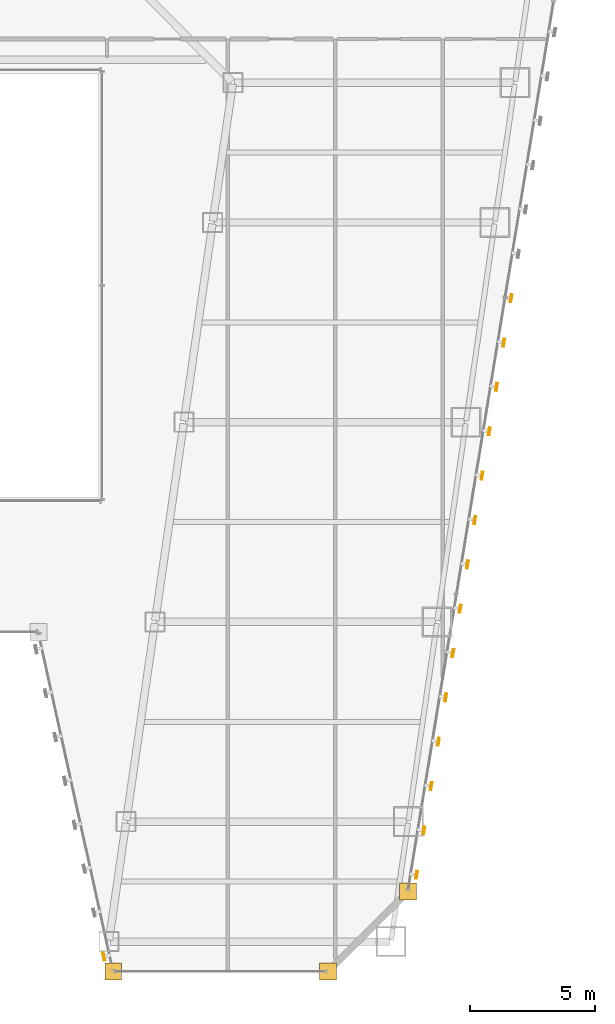
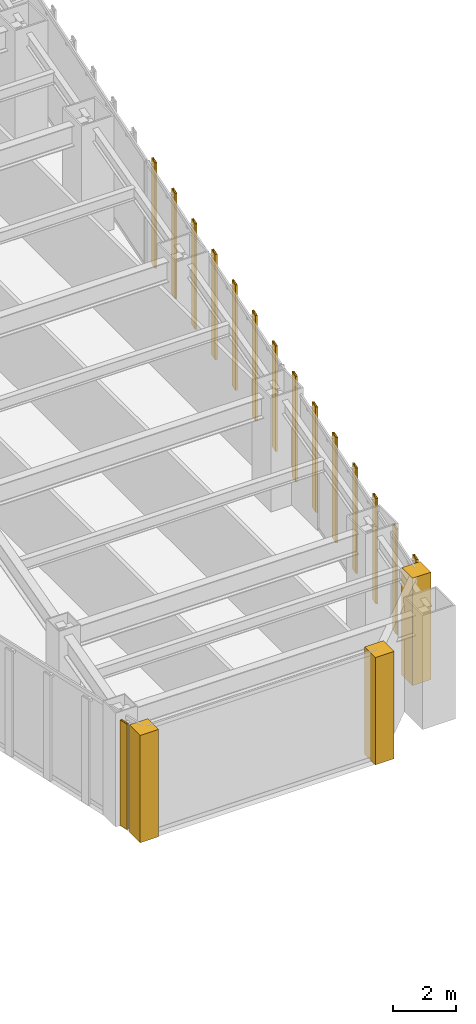
# One storey, part 44 of 47: 15 shading devices, 3 coverings.
"""IFC4 building model written with IfcOpenShell, lengths in metres."""

import ifcopenshell
import ifcopenshell.guid

model = None  # the IFC model being written
_history = None  # IfcOwnerHistory: only IFC2X3 demands one
_inside = {}  # id of a spatial element -> (the spatial element, [elements in it])
_under = {}  # id of a project, library or spatial element -> (it, [spatial elements below it])
_declared = {}  # id of a project -> (the project, [libraries it declares])
_typed = {}  # id of a type object -> (the type object, [elements of that type])
_made_of = {}  # id of a material, layer set ... -> (it, [elements and type objects made of it])


def new_model(schema):
    """Start an empty IFC model of exactly this schema.

    Asked for "IFC4X3", IfcOpenShell would pick the latest addendum, in which some entities
    have other attributes; the version numbers below select the first issue.
    IFC2X3 requires an IfcOwnerHistory on every rooted entity: one is made here for all.
    """
    global model, _history
    if schema == "IFC4X3":
        model = ifcopenshell.file(schema_version=(4, 3, 0, 0))
    else:
        model = ifcopenshell.file(schema=schema)
    _inside.clear()
    _under.clear()
    _declared.clear()
    _typed.clear()
    _made_of.clear()
    _history = None
    if model.schema == "IFC2X3":
        org = make("IfcOrganization", Name="unknown")
        user = make(
            "IfcPersonAndOrganization",
            ThePerson=make("IfcPerson", FamilyName="unknown"),
            TheOrganization=org,
        )
        app = make(
            "IfcApplication",
            ApplicationDeveloper=org,
            Version="unknown",
            ApplicationFullName="unknown",
            ApplicationIdentifier="unknown",
        )
        _history = make(
            "IfcOwnerHistory",
            OwningUser=user,
            OwningApplication=app,
            ChangeAction="ADDED",
            CreationDate=0,
        )
    return model


def make(cls, **values):
    """One entity of the class cls with the attributes given. An attribute that is None is left unset."""
    return model.create_entity(
        cls, **{name: value for name, value in values.items() if value is not None}
    )


def rooted(cls, **values):
    """An entity with a GlobalId (a new one), such as an element, a storey or a relation."""
    return make(cls, GlobalId=ifcopenshell.guid.new(), OwnerHistory=_history, **values)


def si_unit(unit_type, name, prefix=None):
    """IfcSIUnit, for example si_unit("LENGTHUNIT", "METRE", prefix="MILLI")."""
    return make("IfcSIUnit", UnitType=unit_type, Prefix=prefix, Name=name)


def assignment(units):
    """IfcUnitAssignment: the units of a project."""
    return None if units is None else make("IfcUnitAssignment", Units=units)


def point(xyz):
    """IfcCartesianPoint."""
    return None if xyz is None else make("IfcCartesianPoint", Coordinates=xyz)


def direction(xyz):
    """IfcDirection."""
    return None if xyz is None else make("IfcDirection", DirectionRatios=xyz)


def frame(location, z_axis=None, x_axis=None):
    """IfcAxis2Placement3D, a coordinate frame: its origin and axes. An axis left out is left unset."""
    return make(
        "IfcAxis2Placement3D",
        Location=point(location),
        Axis=direction(z_axis),
        RefDirection=direction(x_axis),
    )


def frame_2d(location, x_axis=None):
    """IfcAxis2Placement2D, a coordinate frame in the plane: its origin and x axis."""
    return make(
        "IfcAxis2Placement2D", Location=point(location), RefDirection=direction(x_axis)
    )


def origin():
    """The frame at (0, 0, 0) with its axes left unset."""
    return frame((0.0, 0.0, 0.0))


def origin_2d():
    """The frame at (0, 0) in the plane with its x axis left unset."""
    return frame_2d((0.0, 0.0))


def place(relative_to, where):
    """IfcLocalPlacement: puts the frame where relative to a parent placement (None: the world)."""
    return make(
        "IfcLocalPlacement", PlacementRelTo=relative_to, RelativePlacement=where
    )


def context(
    kind, dimensions, precision=None, world=None, true_north=None, identifier=None
):
    """IfcGeometricRepresentationContext, for example the 3D "Model" context."""
    return make(
        "IfcGeometricRepresentationContext",
        ContextIdentifier=identifier,
        ContextType=kind,
        CoordinateSpaceDimension=dimensions,
        Precision=precision,
        WorldCoordinateSystem=world,
        TrueNorth=true_north,
    )


def subcontext(parent, identifier, kind, view, scale=None):
    """IfcGeometricRepresentationSubContext, for example "Body" below "Model"."""
    return make(
        "IfcGeometricRepresentationSubContext",
        ContextIdentifier=identifier,
        ContextType=kind,
        ParentContext=parent,
        TargetScale=scale,
        TargetView=view,
    )


def project(units=None, contexts=None):
    """IfcProject with its units and contexts."""
    return rooted(
        "IfcProject",
        Name="project",
        RepresentationContexts=contexts,
        UnitsInContext=assignment(units),
    )


def spatial(cls, under=None, at=None, **own):
    """A site, building, storey or space (cls), placed at a placement, below another one or the project."""
    s = rooted(cls, ObjectPlacement=at, **own)
    if under is not None:
        _under.setdefault(under.id(), (under, []))[1].append(s)
    return s


def polyline(points):
    """IfcPolyline through the points."""
    return make("IfcPolyline", Points=[point(p) for p in points])


def profile(cls, at=None, kind="AREA", **sizes):
    """A parametric profile (cls). Its sizes go by their IFC names, for example OverallWidth=200.0."""
    return make(cls, ProfileType=kind, Position=at, **sizes)


def hollow_rectangle(**sizes):
    """IfcRectangleHollowProfileDef."""
    return profile("IfcRectangleHollowProfileDef", **sizes)


def outline(outer, holes=None, kind="AREA"):
    """IfcArbitraryClosedProfileDef: a profile drawn as a closed curve; with holes, ...WithVoids."""
    if holes is None:
        return make("IfcArbitraryClosedProfileDef", ProfileType=kind, OuterCurve=outer)
    return make(
        "IfcArbitraryProfileDefWithVoids",
        ProfileType=kind,
        OuterCurve=outer,
        InnerCurves=holes,
    )


def extrude(swept, where, along, depth):
    """IfcExtrudedAreaSolid: the profile swept, set in the frame where, extruded along a direction by depth."""
    return make(
        "IfcExtrudedAreaSolid",
        SweptArea=swept,
        Position=where,
        ExtrudedDirection=direction(along),
        Depth=depth,
    )


def shape(context_of_items, identifier, shape_type, items):
    """IfcShapeRepresentation: the items that make up one representation, for example the "Body"."""
    return make(
        "IfcShapeRepresentation",
        ContextOfItems=context_of_items,
        RepresentationIdentifier=identifier,
        RepresentationType=shape_type,
        Items=items,
    )


def material(Name=None, Category=None):
    """IfcMaterial."""
    return make("IfcMaterial", Name=Name, Category=Category)


def layer(
    of_material, thickness, ventilated=None, Name=None, Category=None, Priority=None
):
    """IfcMaterialLayer: one layer of a wall or slab, of a material (None: an air gap)."""
    return make(
        "IfcMaterialLayer",
        Material=of_material,
        LayerThickness=thickness,
        IsVentilated=ventilated,
        Name=Name,
        Category=Category,
        Priority=Priority,
    )


def layer_set(layers, Name=None):
    """IfcMaterialLayerSet."""
    return make("IfcMaterialLayerSet", MaterialLayers=layers, LayerSetName=Name)


def material_profile(
    of_material, cross_section, Name=None, Category=None, Priority=None
):
    """IfcMaterialProfile: a cross section and its material."""
    return make(
        "IfcMaterialProfile",
        Name=Name,
        Material=of_material,
        Profile=cross_section,
        Priority=Priority,
        Category=Category,
    )


def profile_set(profiles, Name=None, composite=None):
    """IfcMaterialProfileSet."""
    return make(
        "IfcMaterialProfileSet",
        Name=Name,
        MaterialProfiles=profiles,
        CompositeProfile=composite,
    )


def made_of(thing, what):
    """Note that an element or type object is made of a material, layer set ...; save() writes the relation."""
    if what is not None:
        _made_of.setdefault(what.id(), (what, []))[1].append(thing)
    return thing


def type_object(cls, material=None, **own):
    """A type object (cls), such as IfcWallType, which elements share."""
    return made_of(rooted(cls, **own), material)


def element(
    cls,
    number,
    at=None,
    inside=None,
    cuts=None,
    type_object=None,
    material=None,
    context=None,
    identifier="Body",
    shape_type=None,
    held_by="IfcProductDefinitionShape",
    body=None,
    shapes=None,
    **own,
):
    """One element of the class cls, such as IfcWall. Its Tag is "e" and its number.

    at: its placement. inside: the storey or other place that contains it. cuts: it is an
    opening in that element (IfcRelVoidsElement). A single representation is given by context,
    identifier, shape_type and body (its items); several are given by shapes. held_by: the class
    of the entity that holds the representations. save() writes the other relations.
    """
    e = rooted(cls, Tag="e%d" % number, ObjectPlacement=at, **own)
    if body is not None:
        shapes = [shape(context, identifier, shape_type, body)]
    if shapes is not None:
        e.Representation = make(held_by, Representations=shapes)
    if inside is not None:
        _inside.setdefault(inside.id(), (inside, []))[1].append(e)
    if cuts is not None:
        rooted(
            "IfcRelVoidsElement", RelatingBuildingElement=cuts, RelatedOpeningElement=e
        )
    if type_object is not None:
        _typed.setdefault(type_object.id(), (type_object, []))[1].append(e)
    return made_of(e, material)


def aggregate(whole, parts):
    """IfcRelAggregates: a whole, such as a stair, and the parts it consists of."""
    return rooted("IfcRelAggregates", RelatingObject=whole, RelatedObjects=parts)


def save(model, path):
    """Write the relations noted so far, then the file.

    IfcRelAggregates (storeys below a building ...), IfcRelContainedInSpatialStructure (elements
    in a storey), IfcRelDefinesByType, IfcRelAssociatesMaterial and IfcRelDeclares: one each for
    every whole, place, type object, material and project.
    """
    for whole, parts in _under.values():
        aggregate(whole, parts)
    for where, things in _inside.values():
        rooted(
            "IfcRelContainedInSpatialStructure",
            RelatedElements=things,
            RelatingStructure=where,
        )
    for kind, things in _typed.values():
        rooted("IfcRelDefinesByType", RelatedObjects=things, RelatingType=kind)
    for what, things in _made_of.values():
        rooted("IfcRelAssociatesMaterial", RelatedObjects=things, RelatingMaterial=what)
    for by, libraries in _declared.values():
        rooted("IfcRelDeclares", RelatingContext=by, RelatedDefinitions=libraries)
    model.write(path)


model = new_model("IFC4")

# Units and contexts
model_context = context("Model", 3, precision=1e-05, world=origin(), true_north=direction((0.0, 1.0)))
body_context = subcontext(model_context, "Body", "Model", "MODEL_VIEW")
ifc_project = project(units=[si_unit("LENGTHUNIT", "METRE"), si_unit("AREAUNIT", "SQUARE_METRE"), si_unit("VOLUMEUNIT", "CUBIC_METRE"), si_unit("PLANEANGLEUNIT", "RADIAN"), si_unit("MASSUNIT", "GRAM", prefix="KILO")], contexts=[model_context])

# Site, building, storey
site_placement = place(None, origin())
site = spatial("IfcSite", under=ifc_project, at=site_placement, CompositionType="ELEMENT")
building_placement = place(site_placement, origin())
building = spatial("IfcBuilding", under=site, at=building_placement, Name="Saevonmaru Cultural Tower", CompositionType="ELEMENT")
storey_placement = place(building_placement, frame((0.0, 0.0, 56.0)))
storey = spatial("IfcBuildingStorey", under=building, at=storey_placement, Name="L11", CompositionType="ELEMENT", Elevation=56.0)

# Coverings
ifc_material = material(Name="Satin Bronze Anodised Aluminium", Category="aluminium")
ifc_layer = layer(ifc_material, 0.679931640625, Name="Satin Bronze Anodised Aluminium")
ifc_layer_set = layer_set([ifc_layer], Name="Satin Bronze Anodised Aluminium")
covering_type = type_object("IfcCoveringType", Name="CV-CORNER-CLAD", PredefinedType="CLADDING", material=ifc_layer_set)
covering_1_placement = place(storey_placement, origin())
element("IfcCovering", 1, at=covering_1_placement, inside=storey, type_object=covering_type, Name="L11 Tower Bronze Corner Cladding Pier 6", PredefinedType="CLADDING", context=body_context, shape_type="SweptSolid", body=[
    extrude(outline(polyline([(36.06005859375, 1.659912109375), (36.739990234375, 1.659912109375), (36.739990234375, 2.340087890625), (36.06005859375, 2.340087890625), (36.06005859375, 1.659912109375)])), origin(), (0.0, 0.0, 1.0), 4.14990234375),
])
covering_2_placement = place(storey_placement, origin())
element("IfcCovering", 2, at=covering_2_placement, inside=storey, type_object=covering_type, Name="L11 Tower Bronze Corner Cladding Pier 7", PredefinedType="CLADDING", context=body_context, shape_type="SweptSolid", body=[
    extrude(outline(polyline([(44.659912109375, 1.659912109375), (45.340087890625, 1.659912109375), (45.340087890625, 2.340087890625), (44.659912109375, 2.340087890625), (44.659912109375, 1.659912109375)])), origin(), (0.0, 0.0, 1.0), 4.14990234375),
])
covering_3_placement = place(storey_placement, origin())
element("IfcCovering", 3, at=covering_3_placement, inside=storey, type_object=covering_type, Name="L11 Tower Bronze Corner Cladding Pier 8", PredefinedType="CLADDING", context=body_context, shape_type="SweptSolid", body=[
    extrude(outline(polyline([(47.860107421875, 4.860107421875), (48.5400390625, 4.860107421875), (48.5400390625, 5.5400390625), (47.860107421875, 5.5400390625), (47.860107421875, 4.860107421875)])), origin(), (0.0, 0.0, 1.0), 4.14990234375),
])

# Shading devices
ifc_material_profile = material_profile(ifc_material, hollow_rectangle(XDim=0.070068359375, YDim=0.320068359375, WallThickness=0.0048828125, at=origin_2d()), Name="FIN-320x70")
ifc_profile_set = profile_set([ifc_material_profile], Name="Satin Bronze Anodised Aluminium")
shading_device_type = type_object("IfcShadingDeviceType", Name="SHD-FIN-320", PredefinedType="JALOUSIE", material=ifc_profile_set)
for number, where, z_axis, x_axis, name in (
    (4, (36.022705078125, 2.59619140625, 0.050048828125), (0.0, 0.0, 1.0), (-0.976522126798, -0.215417120661, 0.0), "L11 Art Deco Sawtooth Bronze Fin E5-08"),
    (5, (48.552978515625, 5.869140625, 0.050048828125), (0.0, 0.0, 1.0), (0.986827496189, -0.161776057456, 0.0), "L11 Art Deco Sawtooth Bronze Fin E8-01"),
    (6, (48.843994140625, 7.6455078125, 0.050048828125), (0.0, 0.0, 1.0), (0.986827496189, -0.161776057456, 0.0), "L11 Art Deco Sawtooth Bronze Fin E8-02"),
    (7, (49.135009765625, 9.421875, 0.050048828125), (0.0, 0.0, 1.0), (0.986827496189, -0.161776057456, 0.0), "L11 Art Deco Sawtooth Bronze Fin E8-03"),
    (8, (49.426025390625, 11.197998046875, 0.050048828125), (0.0, 0.0, 1.0), (0.986827496189, -0.161776057456, 0.0), "L11 Art Deco Sawtooth Bronze Fin E8-04"),
    (9, (49.71728515625, 12.974365234375, 0.050048828125), (0.0, 0.0, 1.0), (0.986827496189, -0.161776057456, 0.0), "L11 Art Deco Sawtooth Bronze Fin E8-05"),
    (10, (50.00830078125, 14.750732421875, 0.050048828125), (0.0, 0.0, 1.0), (0.986827496189, -0.161776057456, 0.0), "L11 Art Deco Sawtooth Bronze Fin E8-06"),
    (11, (50.29931640625, 16.527099609375, 0.050048828125), (0.0, 0.0, 1.0), (0.986827496189, -0.161776057456, 0.0), "L11 Art Deco Sawtooth Bronze Fin E8-07"),
    (12, (50.59033203125, 18.30322265625, 0.050048828125), (0.0, 0.0, 1.0), (0.986827496189, -0.161776057456, 0.0), "L11 Art Deco Sawtooth Bronze Fin E8-08"),
    (13, (50.881591796875, 20.07958984375, 0.050048828125), (0.0, 0.0, 1.0), (0.986827496189, -0.161776057456, 0.0), "L11 Art Deco Sawtooth Bronze Fin E8-09"),
    (14, (51.172607421875, 21.85595703125, 0.050048828125), (0.0, 0.0, 1.0), (0.986827496189, -0.161776057456, 0.0), "L11 Art Deco Sawtooth Bronze Fin E8-10"),
    (15, (51.463623046875, 23.63232421875, 0.050048828125), (0.0, 0.0, 1.0), (0.986827496189, -0.161776057456, 0.0), "L11 Art Deco Sawtooth Bronze Fin E8-11"),
    (16, (51.754638671875, 25.40869140625, 0.050048828125), (0.0, 0.0, 1.0), (0.986827496189, -0.161776057456, 0.0), "L11 Art Deco Sawtooth Bronze Fin E8-12"),
    (17, (52.0458984375, 27.184814453125, 0.050048828125), (0.0, 0.0, 1.0), (0.986827496189, -0.161776057456, 0.0), "L11 Art Deco Sawtooth Bronze Fin E8-13"),
    (18, (52.3369140625, 28.961181640625, 0.050048828125), (0.0, 0.0, 1.0), (0.986827496189, -0.161776057456, 0.0), "L11 Art Deco Sawtooth Bronze Fin E8-14"),
):
    element("IfcShadingDevice", number, at=place(storey_placement, frame(where, z_axis=z_axis, x_axis=x_axis)), inside=storey, type_object=shading_device_type, Name=name, PredefinedType="JALOUSIE", context=body_context, shape_type="SweptSolid", body=[
        extrude(hollow_rectangle(XDim=0.070068359375, YDim=0.320068359375, WallThickness=0.0048828125, at=origin_2d()), origin(), (0.0, 0.0, 1.0), 4.079833984375),
    ])

save(model, "model.ifc")
